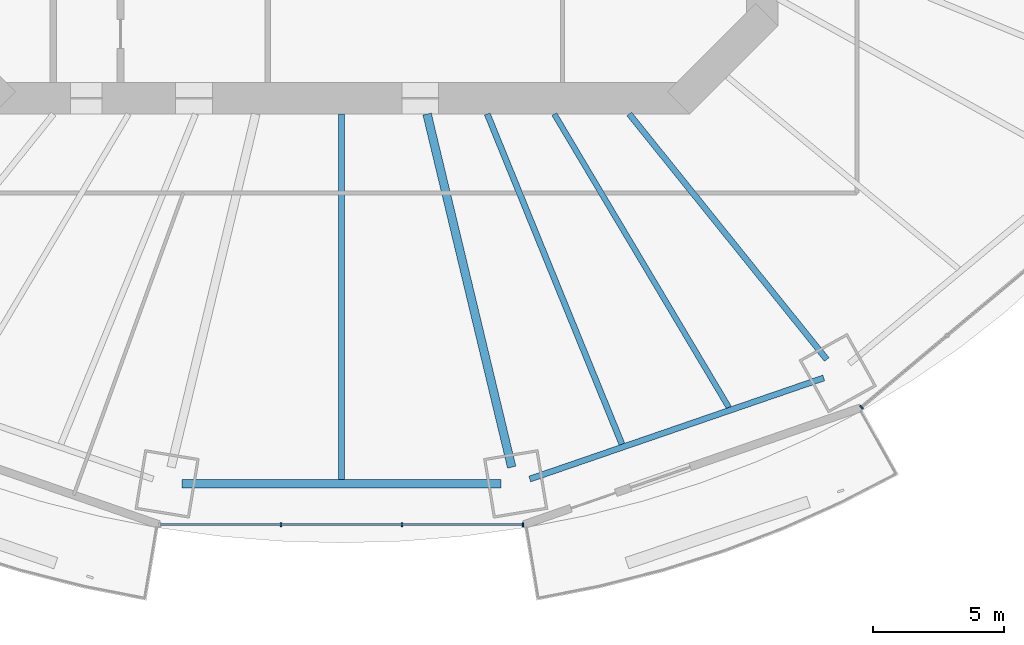
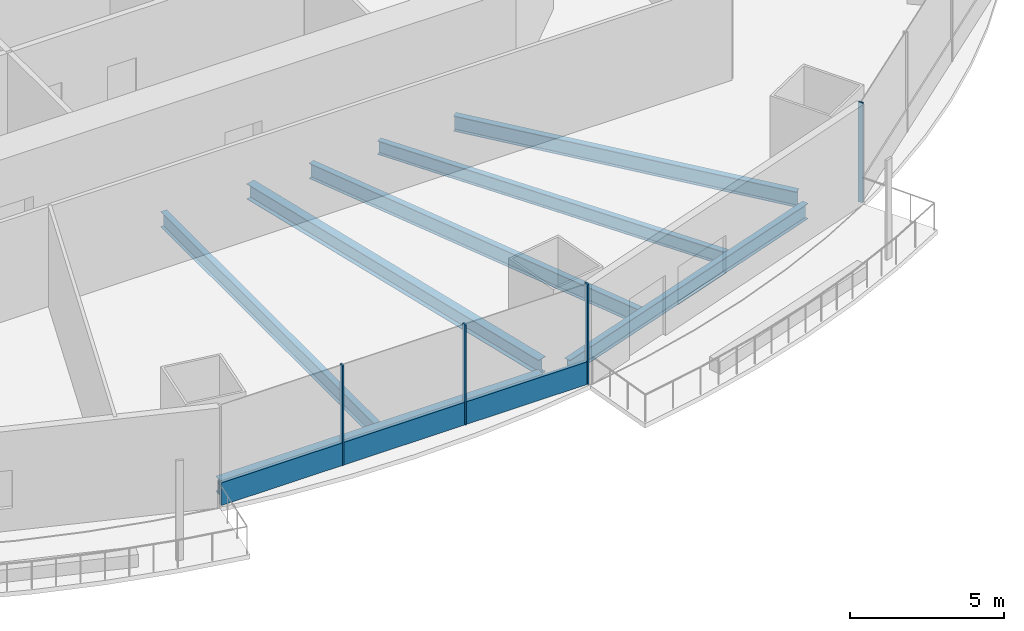
# One storey, part 4 of 22: 7 beams, 5 members, 2 elements without a shape of their own.
"""IFC4 building model written with IfcOpenShell, lengths in metres."""

from ifc_helpers import new_model, si_unit, direction, frame, origin, origin_2d, place, context, subcontext, project, spatial, rectangle, i_section, extrude, material, material_profile, profile_set, type_object, element, aggregate, save


model = new_model("IFC4")

# Units and contexts
model_context = context("Model", 3, precision=1e-05, world=origin(), true_north=direction((0.0, 1.0)))
body_context = subcontext(model_context, "Body", "Model", "MODEL_VIEW")
ifc_project = project(units=[si_unit("LENGTHUNIT", "METRE"), si_unit("AREAUNIT", "SQUARE_METRE"), si_unit("VOLUMEUNIT", "CUBIC_METRE"), si_unit("PLANEANGLEUNIT", "RADIAN"), si_unit("MASSUNIT", "GRAM", prefix="KILO")], contexts=[model_context])

# Site, building, storey
site_placement = place(None, origin())
site = spatial("IfcSite", under=ifc_project, at=site_placement, CompositionType="ELEMENT")
building_placement = place(site_placement, origin())
building = spatial("IfcBuilding", under=site, at=building_placement, Name="Marenthal Gate Tower", CompositionType="ELEMENT")
storey_placement = place(building_placement, frame((0.0, 0.0, 78.64990234375)))
storey = spatial("IfcBuildingStorey", under=building, at=storey_placement, Name="L15", CompositionType="ELEMENT", Elevation=78.64990234375)

# Curtain wall, members
ifc_material_1 = material(Name="Aluminium and glass", Category="aluminium")
curtain_wall_type = type_object("IfcCurtainWallType", Name="Curtain wall typical low", PredefinedType="NOTDEFINED", material=ifc_material_1)
curtain_wall_1_placement = place(storey_placement, origin())
curtain_wall_1 = element("IfcCurtainWall", 1, at=curtain_wall_1_placement, inside=storey, type_object=curtain_wall_type, Name="Curtain wall L15 bay 12", PredefinedType="NOTDEFINED")
ifc_material_2 = material(Name="Aluminium", Category="aluminium")
ifc_material_profile_1 = material_profile(ifc_material_2, rectangle(XDim=0.159912109375, YDim=0.06005859375, at=origin_2d()), Name="60x160 aluminium mullion")
ifc_profile_set_1 = profile_set([ifc_material_profile_1], Name="Aluminium")
member_type_1 = type_object("IfcMemberType", Name="Mullion 60x160 typical low", PredefinedType="MULLION", material=ifc_profile_set_1)
member_1_placement = place(storey_placement, frame((-2.302001953125, -29.211669921875, 0.0), z_axis=(0.0, 0.0, 1.0), x_axis=(0.0, 1.0, 0.0)))
member_1 = element("IfcMember", 2, at=member_1_placement, type_object=member_type_1, Name="Mullion L15 bay 12.2", PredefinedType="MULLION", context=body_context, shape_type="SweptSolid", body=[
    extrude(rectangle(XDim=0.159912109375, YDim=0.06005859375, at=origin_2d()), origin(), (0.0, 0.0, 1.0), 3.97021484375),
])
member_2_placement = place(storey_placement, frame((2.302001953125, -29.211669921875, 0.0), z_axis=(0.0, 0.0, 1.0), x_axis=(0.0, 1.0, 0.0)))
member_2 = element("IfcMember", 3, at=member_2_placement, type_object=member_type_1, Name="Mullion L15 bay 12.3", PredefinedType="MULLION", context=body_context, shape_type="SweptSolid", body=[
    extrude(rectangle(XDim=0.159912109375, YDim=0.06005859375, at=origin_2d()), origin(), (0.0, 0.0, 1.0), 3.97021484375),
])
member_3_placement = place(storey_placement, frame((6.906005859375, -29.211669921875, 0.0), z_axis=(0.0, 0.0, 1.0), x_axis=(0.0, 1.0, 0.0)))
member_3 = element("IfcMember", 4, at=member_3_placement, type_object=member_type_1, Name="Mullion L15 bay 12.4", PredefinedType="MULLION", context=body_context, shape_type="SweptSolid", body=[
    extrude(rectangle(XDim=0.159912109375, YDim=0.06005859375, at=origin_2d()), origin(), (0.0, 0.0, 1.0), 3.97021484375),
])

# Curtain wall, member
curtain_wall_2_placement = place(storey_placement, origin())
curtain_wall_2 = element("IfcCurtainWall", 5, at=curtain_wall_2_placement, inside=storey, type_object=curtain_wall_type, Name="Curtain wall L15 bay 14", PredefinedType="NOTDEFINED")
member_4_placement = place(storey_placement, frame((19.775146484375, -24.7451171875, 0.0), z_axis=(0.0, 0.0, 1.0), x_axis=(-0.642176178992, 0.76655707885, 0.0)))
member_4 = element("IfcMember", 6, at=member_4_placement, type_object=member_type_1, Name="Mullion L15 bay 14.1", PredefinedType="MULLION", context=body_context, shape_type="SweptSolid", body=[
    extrude(rectangle(XDim=0.159912109375, YDim=0.06005859375, at=origin_2d()), origin(), (0.0, 0.0, 1.0), 3.97021484375),
])
aggregate(curtain_wall_2, [member_4])

# Member
ifc_material_3 = material(Name="Aluminium", Category="aluminium")
ifc_material_profile_2 = material_profile(ifc_material_3, rectangle(XDim=0.1201171875, YDim=0.89990234375, at=origin_2d()), Name="120x900 aluminium transom")
ifc_profile_set_2 = profile_set([ifc_material_profile_2], Name="Aluminium")
member_type_2 = type_object("IfcMemberType", Name="Transom 120x900 typical low", PredefinedType="USERDEFINED", material=ifc_profile_set_2)
member_5_placement = place(storey_placement, frame((-6.8759765625, -29.211669921875, 0.4501953125), z_axis=(1.0, 0.0, 0.0), x_axis=(0.0, 1.0, 0.0)))
member_5 = element("IfcMember", 7, at=member_5_placement, type_object=member_type_2, Name="Transom L15 bay 12", ObjectType="TRANSOM", PredefinedType="USERDEFINED", context=body_context, shape_type="SweptSolid", body=[
    extrude(rectangle(XDim=0.1201171875, YDim=0.89990234375, at=origin_2d()), origin(), (0.0, 0.0, 1.0), 13.751953125),
])

aggregate(curtain_wall_1, [member_1, member_2, member_3, member_5])

# Beams
ifc_material_4 = material(Name="Steel S355", Category="steel")
ifc_material_profile_3 = material_profile(ifc_material_4, i_section(OverallWidth=0.2119140625, OverallDepth=0.5439453125, WebThickness=0.01318359375, FlangeThickness=0.021240234375, FilletRadius=0.0126953125, at=origin_2d()), Name="W530X123")
ifc_profile_set_3 = profile_set([ifc_material_profile_3], Name="Steel S355")
beam_type_1 = type_object("IfcBeamType", Name="W530X123 beam", PredefinedType="BEAM", material=ifc_profile_set_3)
beam_1_placement = place(storey_placement, frame((14.732421875, -24.754150390625, -0.451904296875), z_axis=(-0.511433266122, 0.859322997658, 0.0), x_axis=(-0.859322997658, -0.511433266122, 0.0)))
element("IfcBeam", 8, at=beam_1_placement, inside=storey, type_object=beam_type_1, Name="BM-L15-36", PredefinedType="BEAM", context=body_context, shape_type="SweptSolid", body=[
    extrude(i_section(OverallWidth=0.2119140625, OverallDepth=0.5439453125, WebThickness=0.01318359375, FlangeThickness=0.021240234375, FilletRadius=0.0126953125, at=origin_2d()), origin(), (0.0, 0.0, 1.0), 12.97998046875),
])
ifc_material_5 = material(Name="Steel S355", Category="steel")
ifc_material_profile_4 = material_profile(ifc_material_5, i_section(OverallWidth=0.22900390625, OverallDepth=0.612060546875, WebThickness=0.011962890625, FlangeThickness=0.01953125, FilletRadius=0.0126953125, at=origin_2d()), Name="W610X125")
ifc_profile_set_4 = profile_set([ifc_material_profile_4], Name="Steel S355")
beam_type_2 = type_object("IfcBeamType", Name="W610X125 beam", PredefinedType="BEAM", material=ifc_profile_set_4)
beam_2_placement = place(storey_placement, frame((18.456298828125, -22.93115234375, -0.48583984375), z_axis=(-0.62700397479, 0.779016056059, 0.0), x_axis=(-0.779016056059, -0.62700397479, 0.0)))
element("IfcBeam", 9, at=beam_2_placement, inside=storey, type_object=beam_type_2, Name="BM-L15-14", PredefinedType="BEAM", context=body_context, shape_type="SweptSolid", body=[
    extrude(i_section(OverallWidth=0.22900390625, OverallDepth=0.612060546875, WebThickness=0.011962890625, FlangeThickness=0.01953125, FilletRadius=0.0126953125, at=origin_2d()), origin(), (0.0, 0.0, 1.0), 11.97802734375),
])
beam_3_placement = place(storey_placement, frame((0.0, -27.49951171875, -0.48583984375), z_axis=(0.0, 1.0, 0.0), x_axis=(-1.0, 0.0, 0.0)))
element("IfcBeam", 10, at=beam_3_placement, inside=storey, type_object=beam_type_2, Name="BM-L15-34", PredefinedType="BEAM", context=body_context, shape_type="SweptSolid", body=[
    extrude(i_section(OverallWidth=0.22900390625, OverallDepth=0.612060546875, WebThickness=0.011962890625, FlangeThickness=0.01953125, FilletRadius=0.0126953125, at=origin_2d()), origin(), (0.0, 0.0, 1.0), 13.8994140625),
])
beam_4_placement = place(storey_placement, frame((10.666748046875, -26.152099609375, -0.48583984375), z_axis=(-0.377666991807, 0.925941490214, 0.0), x_axis=(-0.925941490214, -0.377666991807, 0.0)))
element("IfcBeam", 11, at=beam_4_placement, inside=storey, type_object=beam_type_2, Name="BM-L15-35", PredefinedType="BEAM", context=body_context, shape_type="SweptSolid", body=[
    extrude(i_section(OverallWidth=0.22900390625, OverallDepth=0.612060546875, WebThickness=0.011962890625, FlangeThickness=0.01953125, FilletRadius=0.0126953125, at=origin_2d()), origin(), (0.0, 0.0, 1.0), 13.555908203125),
])
beam_5_placement = place(storey_placement, frame((7.162109375, -27.478515625, -0.48583984375), z_axis=(0.94564769726, 0.325192916076, 0.0), x_axis=(-0.325192916076, 0.94564769726, 0.0)))
element("IfcBeam", 12, at=beam_5_placement, inside=storey, type_object=beam_type_2, Name="BM-L15-53", PredefinedType="BEAM", context=body_context, shape_type="SweptSolid", body=[
    extrude(i_section(OverallWidth=0.22900390625, OverallDepth=0.612060546875, WebThickness=0.011962890625, FlangeThickness=0.01953125, FilletRadius=0.0126953125, at=origin_2d()), origin(), (0.0, 0.0, 1.0), 11.819091796875),
])
ifc_material_6 = material(Name="Steel S355", Category="steel")
ifc_material_profile_5 = material_profile(ifc_material_6, i_section(OverallWidth=0.324951171875, OverallDepth=0.612060546875, WebThickness=0.0126953125, FlangeThickness=0.01904296875, FilletRadius=0.0126953125, at=origin_2d()), Name="W610X155")
ifc_profile_set_5 = profile_set([ifc_material_profile_5], Name="Steel S355")
beam_type_3 = type_object("IfcBeamType", Name="W610X155 beam", PredefinedType="BEAM", material=ifc_profile_set_5)
beam_6_placement = place(storey_placement, frame((6.4755859375, -27.027099609375, -0.48583984375), z_axis=(-0.233000428797, 0.972476632203, 0.0), x_axis=(-0.972476632203, -0.233000428797, 0.0)))
element("IfcBeam", 13, at=beam_6_placement, inside=storey, type_object=beam_type_3, Name="BM-L15-13", PredefinedType="BEAM", context=body_context, shape_type="SweptSolid", body=[
    extrude(i_section(OverallWidth=0.324951171875, OverallDepth=0.612060546875, WebThickness=0.0126953125, FlangeThickness=0.01904296875, FilletRadius=0.0126953125, at=origin_2d()), origin(), (0.0, 0.0, 1.0), 13.80712890625),
])
beam_7_placement = place(storey_placement, frame((-6.063720703125, -27.662109375, -0.48583984375), z_axis=(1.0, 0.0, 0.0), x_axis=(0.0, 1.0, 0.0)))
element("IfcBeam", 14, at=beam_7_placement, inside=storey, type_object=beam_type_3, Name="BM-L15-52", PredefinedType="BEAM", context=body_context, shape_type="SweptSolid", body=[
    extrude(i_section(OverallWidth=0.324951171875, OverallDepth=0.612060546875, WebThickness=0.0126953125, FlangeThickness=0.01904296875, FilletRadius=0.0126953125, at=origin_2d()), origin(), (0.0, 0.0, 1.0), 12.12744140625),
])

save(model, "model.ifc")
